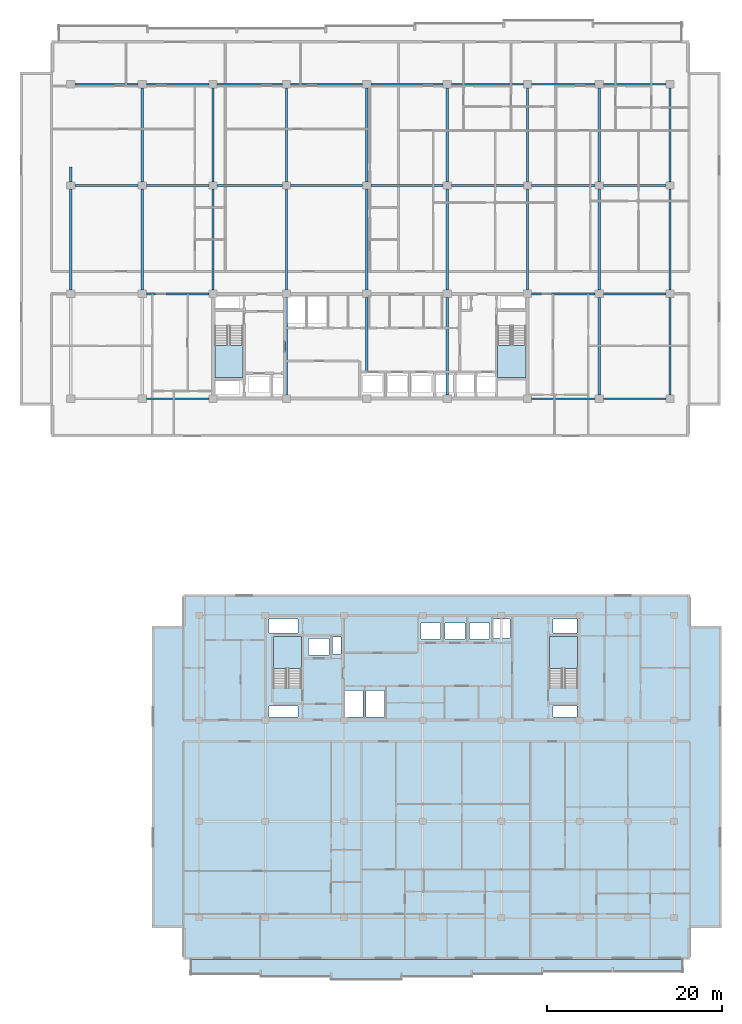
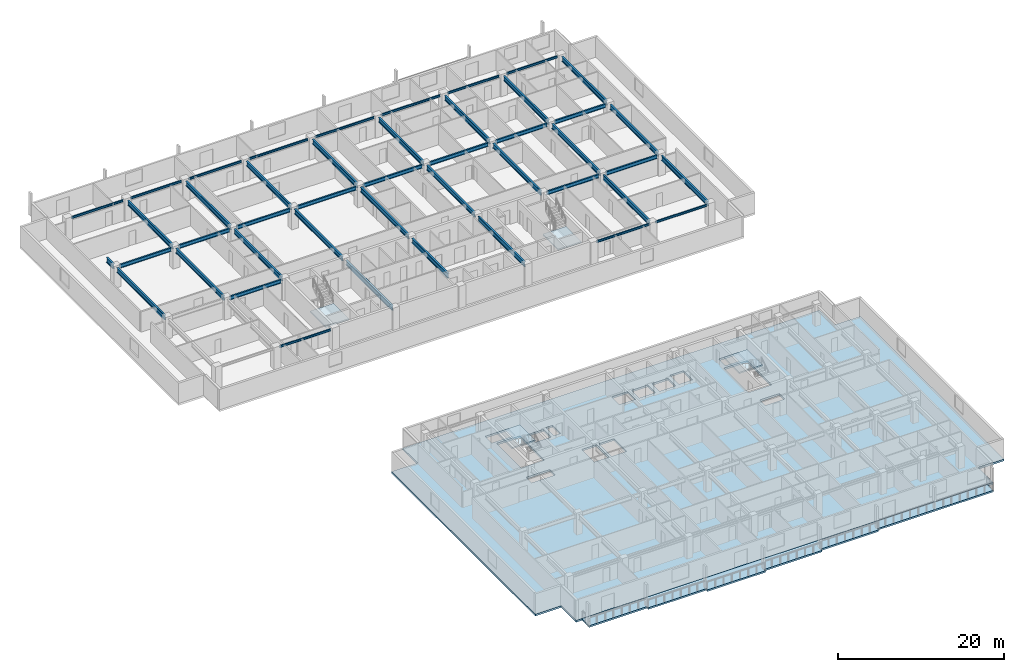
# One storey, part 2 of 21: 45 beams, 6 slabs, 4 elements without a shape of their own.
"""IFC4 building model written with IfcOpenShell, lengths in metres."""

import ifcopenshell
import ifcopenshell.guid

model = None  # the IFC model being written
_history = None  # IfcOwnerHistory: only IFC2X3 demands one
_inside = {}  # id of a spatial element -> (the spatial element, [elements in it])
_under = {}  # id of a project, library or spatial element -> (it, [spatial elements below it])
_declared = {}  # id of a project -> (the project, [libraries it declares])
_typed = {}  # id of a type object -> (the type object, [elements of that type])
_made_of = {}  # id of a material, layer set ... -> (it, [elements and type objects made of it])


def new_model(schema):
    """Start an empty IFC model of exactly this schema.

    Asked for "IFC4X3", IfcOpenShell would pick the latest addendum, in which some entities
    have other attributes; the version numbers below select the first issue.
    IFC2X3 requires an IfcOwnerHistory on every rooted entity: one is made here for all.
    """
    global model, _history
    if schema == "IFC4X3":
        model = ifcopenshell.file(schema_version=(4, 3, 0, 0))
    else:
        model = ifcopenshell.file(schema=schema)
    _inside.clear()
    _under.clear()
    _declared.clear()
    _typed.clear()
    _made_of.clear()
    _history = None
    if model.schema == "IFC2X3":
        org = make("IfcOrganization", Name="unknown")
        user = make(
            "IfcPersonAndOrganization",
            ThePerson=make("IfcPerson", FamilyName="unknown"),
            TheOrganization=org,
        )
        app = make(
            "IfcApplication",
            ApplicationDeveloper=org,
            Version="unknown",
            ApplicationFullName="unknown",
            ApplicationIdentifier="unknown",
        )
        _history = make(
            "IfcOwnerHistory",
            OwningUser=user,
            OwningApplication=app,
            ChangeAction="ADDED",
            CreationDate=0,
        )
    return model


def make(cls, **values):
    """One entity of the class cls with the attributes given. An attribute that is None is left unset."""
    return model.create_entity(
        cls, **{name: value for name, value in values.items() if value is not None}
    )


def rooted(cls, **values):
    """An entity with a GlobalId (a new one), such as an element, a storey or a relation."""
    return make(cls, GlobalId=ifcopenshell.guid.new(), OwnerHistory=_history, **values)


def si_unit(unit_type, name, prefix=None):
    """IfcSIUnit, for example si_unit("LENGTHUNIT", "METRE", prefix="MILLI")."""
    return make("IfcSIUnit", UnitType=unit_type, Prefix=prefix, Name=name)


def assignment(units):
    """IfcUnitAssignment: the units of a project."""
    return None if units is None else make("IfcUnitAssignment", Units=units)


def point(xyz):
    """IfcCartesianPoint."""
    return None if xyz is None else make("IfcCartesianPoint", Coordinates=xyz)


def direction(xyz):
    """IfcDirection."""
    return None if xyz is None else make("IfcDirection", DirectionRatios=xyz)


def frame(location, z_axis=None, x_axis=None):
    """IfcAxis2Placement3D, a coordinate frame: its origin and axes. An axis left out is left unset."""
    return make(
        "IfcAxis2Placement3D",
        Location=point(location),
        Axis=direction(z_axis),
        RefDirection=direction(x_axis),
    )


def frame_2d(location, x_axis=None):
    """IfcAxis2Placement2D, a coordinate frame in the plane: its origin and x axis."""
    return make(
        "IfcAxis2Placement2D", Location=point(location), RefDirection=direction(x_axis)
    )


def origin():
    """The frame at (0, 0, 0) with its axes left unset."""
    return frame((0.0, 0.0, 0.0))


def origin_2d():
    """The frame at (0, 0) in the plane with its x axis left unset."""
    return frame_2d((0.0, 0.0))


def place(relative_to, where):
    """IfcLocalPlacement: puts the frame where relative to a parent placement (None: the world)."""
    return make(
        "IfcLocalPlacement", PlacementRelTo=relative_to, RelativePlacement=where
    )


def context(
    kind, dimensions, precision=None, world=None, true_north=None, identifier=None
):
    """IfcGeometricRepresentationContext, for example the 3D "Model" context."""
    return make(
        "IfcGeometricRepresentationContext",
        ContextIdentifier=identifier,
        ContextType=kind,
        CoordinateSpaceDimension=dimensions,
        Precision=precision,
        WorldCoordinateSystem=world,
        TrueNorth=true_north,
    )


def subcontext(parent, identifier, kind, view, scale=None):
    """IfcGeometricRepresentationSubContext, for example "Body" below "Model"."""
    return make(
        "IfcGeometricRepresentationSubContext",
        ContextIdentifier=identifier,
        ContextType=kind,
        ParentContext=parent,
        TargetScale=scale,
        TargetView=view,
    )


def project(units=None, contexts=None):
    """IfcProject with its units and contexts."""
    return rooted(
        "IfcProject",
        Name="project",
        RepresentationContexts=contexts,
        UnitsInContext=assignment(units),
    )


def spatial(cls, under=None, at=None, **own):
    """A site, building, storey or space (cls), placed at a placement, below another one or the project."""
    s = rooted(cls, ObjectPlacement=at, **own)
    if under is not None:
        _under.setdefault(under.id(), (under, []))[1].append(s)
    return s


def polyline(points):
    """IfcPolyline through the points."""
    return make("IfcPolyline", Points=[point(p) for p in points])


def profile(cls, at=None, kind="AREA", **sizes):
    """A parametric profile (cls). Its sizes go by their IFC names, for example OverallWidth=200.0."""
    return make(cls, ProfileType=kind, Position=at, **sizes)


def i_section(**sizes):
    """IfcIShapeProfileDef."""
    return profile("IfcIShapeProfileDef", **sizes)


def outline(outer, holes=None, kind="AREA"):
    """IfcArbitraryClosedProfileDef: a profile drawn as a closed curve; with holes, ...WithVoids."""
    if holes is None:
        return make("IfcArbitraryClosedProfileDef", ProfileType=kind, OuterCurve=outer)
    return make(
        "IfcArbitraryProfileDefWithVoids",
        ProfileType=kind,
        OuterCurve=outer,
        InnerCurves=holes,
    )


def extrude(swept, where, along, depth):
    """IfcExtrudedAreaSolid: the profile swept, set in the frame where, extruded along a direction by depth."""
    return make(
        "IfcExtrudedAreaSolid",
        SweptArea=swept,
        Position=where,
        ExtrudedDirection=direction(along),
        Depth=depth,
    )


def shape(context_of_items, identifier, shape_type, items):
    """IfcShapeRepresentation: the items that make up one representation, for example the "Body"."""
    return make(
        "IfcShapeRepresentation",
        ContextOfItems=context_of_items,
        RepresentationIdentifier=identifier,
        RepresentationType=shape_type,
        Items=items,
    )


def material(Name=None, Category=None):
    """IfcMaterial."""
    return make("IfcMaterial", Name=Name, Category=Category)


def layer(
    of_material, thickness, ventilated=None, Name=None, Category=None, Priority=None
):
    """IfcMaterialLayer: one layer of a wall or slab, of a material (None: an air gap)."""
    return make(
        "IfcMaterialLayer",
        Material=of_material,
        LayerThickness=thickness,
        IsVentilated=ventilated,
        Name=Name,
        Category=Category,
        Priority=Priority,
    )


def layer_set(layers, Name=None):
    """IfcMaterialLayerSet."""
    return make("IfcMaterialLayerSet", MaterialLayers=layers, LayerSetName=Name)


def material_profile(
    of_material, cross_section, Name=None, Category=None, Priority=None
):
    """IfcMaterialProfile: a cross section and its material."""
    return make(
        "IfcMaterialProfile",
        Name=Name,
        Material=of_material,
        Profile=cross_section,
        Priority=Priority,
        Category=Category,
    )


def profile_set(profiles, Name=None, composite=None):
    """IfcMaterialProfileSet."""
    return make(
        "IfcMaterialProfileSet",
        Name=Name,
        MaterialProfiles=profiles,
        CompositeProfile=composite,
    )


def made_of(thing, what):
    """Note that an element or type object is made of a material, layer set ...; save() writes the relation."""
    if what is not None:
        _made_of.setdefault(what.id(), (what, []))[1].append(thing)
    return thing


def type_object(cls, material=None, **own):
    """A type object (cls), such as IfcWallType, which elements share."""
    return made_of(rooted(cls, **own), material)


def element(
    cls,
    number,
    at=None,
    inside=None,
    cuts=None,
    type_object=None,
    material=None,
    context=None,
    identifier="Body",
    shape_type=None,
    held_by="IfcProductDefinitionShape",
    body=None,
    shapes=None,
    **own,
):
    """One element of the class cls, such as IfcWall. Its Tag is "e" and its number.

    at: its placement. inside: the storey or other place that contains it. cuts: it is an
    opening in that element (IfcRelVoidsElement). A single representation is given by context,
    identifier, shape_type and body (its items); several are given by shapes. held_by: the class
    of the entity that holds the representations. save() writes the other relations.
    """
    e = rooted(cls, Tag="e%d" % number, ObjectPlacement=at, **own)
    if body is not None:
        shapes = [shape(context, identifier, shape_type, body)]
    if shapes is not None:
        e.Representation = make(held_by, Representations=shapes)
    if inside is not None:
        _inside.setdefault(inside.id(), (inside, []))[1].append(e)
    if cuts is not None:
        rooted(
            "IfcRelVoidsElement", RelatingBuildingElement=cuts, RelatedOpeningElement=e
        )
    if type_object is not None:
        _typed.setdefault(type_object.id(), (type_object, []))[1].append(e)
    return made_of(e, material)


def aggregate(whole, parts):
    """IfcRelAggregates: a whole, such as a stair, and the parts it consists of."""
    return rooted("IfcRelAggregates", RelatingObject=whole, RelatedObjects=parts)


def save(model, path):
    """Write the relations noted so far, then the file.

    IfcRelAggregates (storeys below a building ...), IfcRelContainedInSpatialStructure (elements
    in a storey), IfcRelDefinesByType, IfcRelAssociatesMaterial and IfcRelDeclares: one each for
    every whole, place, type object, material and project.
    """
    for whole, parts in _under.values():
        aggregate(whole, parts)
    for where, things in _inside.values():
        rooted(
            "IfcRelContainedInSpatialStructure",
            RelatedElements=things,
            RelatingStructure=where,
        )
    for kind, things in _typed.values():
        rooted("IfcRelDefinesByType", RelatedObjects=things, RelatingType=kind)
    for what, things in _made_of.values():
        rooted("IfcRelAssociatesMaterial", RelatedObjects=things, RelatingMaterial=what)
    for by, libraries in _declared.values():
        rooted("IfcRelDeclares", RelatingContext=by, RelatedDefinitions=libraries)
    model.write(path)


model = new_model("IFC4")

# Units and contexts
model_context = context("Model", 3, precision=1e-05, world=origin(), true_north=direction((0.0, 1.0)))
body_context = subcontext(model_context, "Body", "Model", "MODEL_VIEW")
ifc_project = project(units=[si_unit("LENGTHUNIT", "METRE"), si_unit("AREAUNIT", "SQUARE_METRE"), si_unit("VOLUMEUNIT", "CUBIC_METRE"), si_unit("PLANEANGLEUNIT", "RADIAN"), si_unit("MASSUNIT", "GRAM", prefix="KILO")], contexts=[model_context])

# Site, building, storey
site_placement = place(None, origin())
site = spatial("IfcSite", under=ifc_project, at=site_placement, CompositionType="ELEMENT")
building_placement = place(site_placement, origin())
building = spatial("IfcBuilding", under=site, at=building_placement, Name="Korimba Cascade Residences", CompositionType="ELEMENT")
storey_placement = place(building_placement, frame((0.0, 0.0, 119.800048828125)))
storey = spatial("IfcBuildingStorey", under=building, at=storey_placement, Name="L34", CompositionType="ELEMENT", Elevation=119.800048828125)

# Beams
ifc_material_1 = material(Name="Steel S355", Category="steel")
ifc_material_profile_1 = material_profile(ifc_material_1, i_section(OverallWidth=0.165771484375, OverallDepth=0.306640625, WebThickness=0.006591796875, FlangeThickness=0.01171875, FilletRadius=0.0087890625, at=origin_2d()), Name="Steel S355")
ifc_profile_set_1 = profile_set([ifc_material_profile_1], Name="Steel S355")
beam_type_1 = type_object("IfcBeamType", Name="BM-STL-UB305", PredefinedType="SPANDREL", material=ifc_profile_set_1)
beam_1_placement = place(storey_placement, frame((68.47509765625, 55.199951171875, 2.816650390625), z_axis=(1.0, 0.0, 0.0), x_axis=(0.0, 1.0, 0.0)))
element("IfcBeam", 1, at=beam_1_placement, inside=storey, type_object=beam_type_1, Name="L34 T1 E-W Girder Y1 Bay 2", PredefinedType="SPANDREL", context=body_context, shape_type="SweptSolid", body=[
    extrude(i_section(OverallWidth=0.165771484375, OverallDepth=0.306640625, WebThickness=0.006591796875, FlangeThickness=0.01171875, FilletRadius=0.0087890625, at=origin_2d()), origin(), (0.0, 0.0, 1.0), 7.14990234375),
])
beam_2_placement = place(storey_placement, frame((112.574951171875, 55.199951171875, 2.816650390625), z_axis=(1.0, 0.0, 0.0), x_axis=(0.0, 1.0, 0.0)))
element("IfcBeam", 2, at=beam_2_placement, inside=storey, type_object=beam_type_1, Name="L34 T1 E-W Girder Y1 Bay 7", PredefinedType="SPANDREL", context=body_context, shape_type="SweptSolid", body=[
    extrude(i_section(OverallWidth=0.165771484375, OverallDepth=0.306640625, WebThickness=0.006591796875, FlangeThickness=0.01171875, FilletRadius=0.0087890625, at=origin_2d()), origin(), (0.0, 0.0, 1.0), 7.25),
])
beam_3_placement = place(storey_placement, frame((120.77490234375, 55.199951171875, 2.816650390625), z_axis=(1.0, 0.0, 0.0), x_axis=(0.0, 1.0, 0.0)))
element("IfcBeam", 3, at=beam_3_placement, inside=storey, type_object=beam_type_1, Name="L34 T1 E-W Girder Y1 Bay 8", PredefinedType="SPANDREL", context=body_context, shape_type="SweptSolid", body=[
    extrude(i_section(OverallWidth=0.165771484375, OverallDepth=0.306640625, WebThickness=0.006591796875, FlangeThickness=0.01171875, FilletRadius=0.0087890625, at=origin_2d()), origin(), (0.0, 0.0, 1.0), 7.150146484375),
])
beam_4_placement = place(storey_placement, frame((60.27490234375, 91.199951171875, 2.816650390625), z_axis=(1.0, 0.0, 0.0), x_axis=(0.0, 1.0, 0.0)))
element("IfcBeam", 4, at=beam_4_placement, inside=storey, type_object=beam_type_1, Name="L34 T1 E-W Girder Y4 Bay 1", PredefinedType="SPANDREL", context=body_context, shape_type="SweptSolid", body=[
    extrude(i_section(OverallWidth=0.165771484375, OverallDepth=0.306640625, WebThickness=0.006591796875, FlangeThickness=0.01171875, FilletRadius=0.0087890625, at=origin_2d()), origin(), (0.0, 0.0, 1.0), 7.25),
])
beam_5_placement = place(storey_placement, frame((68.47509765625, 91.199951171875, 2.816650390625), z_axis=(1.0, 0.0, 0.0), x_axis=(0.0, 1.0, 0.0)))
element("IfcBeam", 5, at=beam_5_placement, inside=storey, type_object=beam_type_1, Name="L34 T1 E-W Girder Y4 Bay 2", PredefinedType="SPANDREL", context=body_context, shape_type="SweptSolid", body=[
    extrude(i_section(OverallWidth=0.165771484375, OverallDepth=0.306640625, WebThickness=0.006591796875, FlangeThickness=0.01171875, FilletRadius=0.0087890625, at=origin_2d()), origin(), (0.0, 0.0, 1.0), 7.14990234375),
])
beam_6_placement = place(storey_placement, frame((76.574951171875, 91.199951171875, 2.816650390625), z_axis=(1.0, 0.0, 0.0), x_axis=(0.0, 1.0, 0.0)))
element("IfcBeam", 6, at=beam_6_placement, inside=storey, type_object=beam_type_1, Name="L34 T1 E-W Girder Y4 Bay 3", PredefinedType="SPANDREL", context=body_context, shape_type="SweptSolid", body=[
    extrude(i_section(OverallWidth=0.165771484375, OverallDepth=0.306640625, WebThickness=0.006591796875, FlangeThickness=0.01171875, FilletRadius=0.0087890625, at=origin_2d()), origin(), (0.0, 0.0, 1.0), 7.449951171875),
])
for number, where, z_axis, x_axis, name in (
    (7, (84.97509765625, 91.199951171875, 2.816650390625), (1.0, 0.0, 0.0), (0.0, 1.0, 0.0), "L34 T1 E-W Girder Y4 Bay 4"),
    (8, (94.175048828125, 91.199951171875, 2.816650390625), (1.0, 0.0, 0.0), (0.0, 1.0, 0.0), "L34 T1 E-W Girder Y4 Bay 5"),
    (9, (103.375, 91.199951171875, 2.816650390625), (1.0, 0.0, 0.0), (0.0, 1.0, 0.0), "L34 T1 E-W Girder Y4 Bay 6"),
):
    element("IfcBeam", number, at=place(storey_placement, frame(where, z_axis=z_axis, x_axis=x_axis)), inside=storey, type_object=beam_type_1, Name=name, PredefinedType="SPANDREL", context=body_context, shape_type="SweptSolid", body=[
        extrude(i_section(OverallWidth=0.165771484375, OverallDepth=0.306640625, WebThickness=0.006591796875, FlangeThickness=0.01171875, FilletRadius=0.0087890625, at=origin_2d()), origin(), (0.0, 0.0, 1.0), 8.25),
    ])
beam_7_placement = place(storey_placement, frame((112.574951171875, 91.199951171875, 2.816650390625), z_axis=(1.0, 0.0, 0.0), x_axis=(0.0, 1.0, 0.0)))
element("IfcBeam", 10, at=beam_7_placement, inside=storey, type_object=beam_type_1, Name="L34 T1 E-W Girder Y4 Bay 7", PredefinedType="SPANDREL", context=body_context, shape_type="SweptSolid", body=[
    extrude(i_section(OverallWidth=0.165771484375, OverallDepth=0.306640625, WebThickness=0.006591796875, FlangeThickness=0.01171875, FilletRadius=0.0087890625, at=origin_2d()), origin(), (0.0, 0.0, 1.0), 7.25),
])
beam_8_placement = place(storey_placement, frame((120.77490234375, 91.199951171875, 2.816650390625), z_axis=(1.0, 0.0, 0.0), x_axis=(0.0, 1.0, 0.0)))
element("IfcBeam", 11, at=beam_8_placement, inside=storey, type_object=beam_type_1, Name="L34 T1 E-W Girder Y4 Bay 8", PredefinedType="SPANDREL", context=body_context, shape_type="SweptSolid", body=[
    extrude(i_section(OverallWidth=0.165771484375, OverallDepth=0.306640625, WebThickness=0.006591796875, FlangeThickness=0.01171875, FilletRadius=0.0087890625, at=origin_2d()), origin(), (0.0, 0.0, 1.0), 7.150146484375),
])
ifc_material_profile_2 = material_profile(ifc_material_1, i_section(OverallWidth=0.2099609375, OverallDepth=0.53662109375, WebThickness=0.0107421875, FlangeThickness=0.017333984375, FilletRadius=0.0126953125, at=origin_2d()), Name="Steel S355")
ifc_profile_set_2 = profile_set([ifc_material_profile_2], Name="Steel S355")
beam_type_2 = type_object("IfcBeamType", Name="BM-STL-UB533", PredefinedType="BEAM", material=ifc_profile_set_2)
beam_9_placement = place(storey_placement, frame((68.47509765625, 67.199951171875, 2.70166015625), z_axis=(1.0, 0.0, 0.0), x_axis=(0.0, 1.0, 0.0)))
element("IfcBeam", 12, at=beam_9_placement, inside=storey, type_object=beam_type_2, Name="L34 T1 E-W Girder Y2 Bay 2", PredefinedType="BEAM", context=body_context, shape_type="SweptSolid", body=[
    extrude(i_section(OverallWidth=0.2099609375, OverallDepth=0.53662109375, WebThickness=0.0107421875, FlangeThickness=0.017333984375, FilletRadius=0.0126953125, at=origin_2d()), origin(), (0.0, 0.0, 1.0), 7.14990234375),
])
beam_10_placement = place(storey_placement, frame((112.574951171875, 67.199951171875, 2.70166015625), z_axis=(1.0, 0.0, 0.0), x_axis=(0.0, 1.0, 0.0)))
element("IfcBeam", 13, at=beam_10_placement, inside=storey, type_object=beam_type_2, Name="L34 T1 E-W Girder Y2 Bay 7", PredefinedType="BEAM", context=body_context, shape_type="SweptSolid", body=[
    extrude(i_section(OverallWidth=0.2099609375, OverallDepth=0.53662109375, WebThickness=0.0107421875, FlangeThickness=0.017333984375, FilletRadius=0.0126953125, at=origin_2d()), origin(), (0.0, 0.0, 1.0), 7.25),
])
beam_11_placement = place(storey_placement, frame((120.77490234375, 67.199951171875, 2.70166015625), z_axis=(1.0, 0.0, 0.0), x_axis=(0.0, 1.0, 0.0)))
element("IfcBeam", 14, at=beam_11_placement, inside=storey, type_object=beam_type_2, Name="L34 T1 E-W Girder Y2 Bay 8", PredefinedType="BEAM", context=body_context, shape_type="SweptSolid", body=[
    extrude(i_section(OverallWidth=0.2099609375, OverallDepth=0.53662109375, WebThickness=0.0107421875, FlangeThickness=0.017333984375, FilletRadius=0.0126953125, at=origin_2d()), origin(), (0.0, 0.0, 1.0), 7.150146484375),
])
beam_12_placement = place(storey_placement, frame((60.27490234375, 79.60009765625, 2.70166015625), z_axis=(1.0, 0.0, 0.0), x_axis=(0.0, 1.0, 0.0)))
element("IfcBeam", 15, at=beam_12_placement, inside=storey, type_object=beam_type_2, Name="L34 T1 E-W Girder Y3 Bay 1", PredefinedType="BEAM", context=body_context, shape_type="SweptSolid", body=[
    extrude(i_section(OverallWidth=0.2099609375, OverallDepth=0.53662109375, WebThickness=0.0107421875, FlangeThickness=0.017333984375, FilletRadius=0.0126953125, at=origin_2d()), origin(), (0.0, 0.0, 1.0), 7.25),
])
beam_13_placement = place(storey_placement, frame((68.47509765625, 79.60009765625, 2.70166015625), z_axis=(1.0, 0.0, 0.0), x_axis=(0.0, 1.0, 0.0)))
element("IfcBeam", 16, at=beam_13_placement, inside=storey, type_object=beam_type_2, Name="L34 T1 E-W Girder Y3 Bay 2", PredefinedType="BEAM", context=body_context, shape_type="SweptSolid", body=[
    extrude(i_section(OverallWidth=0.2099609375, OverallDepth=0.53662109375, WebThickness=0.0107421875, FlangeThickness=0.017333984375, FilletRadius=0.0126953125, at=origin_2d()), origin(), (0.0, 0.0, 1.0), 7.14990234375),
])
beam_14_placement = place(storey_placement, frame((76.574951171875, 79.60009765625, 2.70166015625), z_axis=(1.0, 0.0, 0.0), x_axis=(0.0, 1.0, 0.0)))
element("IfcBeam", 17, at=beam_14_placement, inside=storey, type_object=beam_type_2, Name="L34 T1 E-W Girder Y3 Bay 3", PredefinedType="BEAM", context=body_context, shape_type="SweptSolid", body=[
    extrude(i_section(OverallWidth=0.2099609375, OverallDepth=0.53662109375, WebThickness=0.0107421875, FlangeThickness=0.017333984375, FilletRadius=0.0126953125, at=origin_2d()), origin(), (0.0, 0.0, 1.0), 7.449951171875),
])
for number, where, z_axis, x_axis, name in (
    (18, (84.97509765625, 79.60009765625, 2.70166015625), (1.0, 0.0, 0.0), (0.0, 1.0, 0.0), "L34 T1 E-W Girder Y3 Bay 4"),
    (19, (94.175048828125, 79.60009765625, 2.70166015625), (1.0, 0.0, 0.0), (0.0, 1.0, 0.0), "L34 T1 E-W Girder Y3 Bay 5"),
    (20, (103.375, 79.60009765625, 2.70166015625), (1.0, 0.0, 0.0), (0.0, 1.0, 0.0), "L34 T1 E-W Girder Y3 Bay 6"),
):
    element("IfcBeam", number, at=place(storey_placement, frame(where, z_axis=z_axis, x_axis=x_axis)), inside=storey, type_object=beam_type_2, Name=name, PredefinedType="BEAM", context=body_context, shape_type="SweptSolid", body=[
        extrude(i_section(OverallWidth=0.2099609375, OverallDepth=0.53662109375, WebThickness=0.0107421875, FlangeThickness=0.017333984375, FilletRadius=0.0126953125, at=origin_2d()), origin(), (0.0, 0.0, 1.0), 8.25),
    ])
beam_15_placement = place(storey_placement, frame((112.574951171875, 79.60009765625, 2.70166015625), z_axis=(1.0, 0.0, 0.0), x_axis=(0.0, 1.0, 0.0)))
element("IfcBeam", 21, at=beam_15_placement, inside=storey, type_object=beam_type_2, Name="L34 T1 E-W Girder Y3 Bay 7", PredefinedType="BEAM", context=body_context, shape_type="SweptSolid", body=[
    extrude(i_section(OverallWidth=0.2099609375, OverallDepth=0.53662109375, WebThickness=0.0107421875, FlangeThickness=0.017333984375, FilletRadius=0.0126953125, at=origin_2d()), origin(), (0.0, 0.0, 1.0), 7.25),
])
beam_16_placement = place(storey_placement, frame((120.77490234375, 79.60009765625, 2.70166015625), z_axis=(1.0, 0.0, 0.0), x_axis=(0.0, 1.0, 0.0)))
element("IfcBeam", 22, at=beam_16_placement, inside=storey, type_object=beam_type_2, Name="L34 T1 E-W Girder Y3 Bay 8", PredefinedType="BEAM", context=body_context, shape_type="SweptSolid", body=[
    extrude(i_section(OverallWidth=0.2099609375, OverallDepth=0.53662109375, WebThickness=0.0107421875, FlangeThickness=0.017333984375, FilletRadius=0.0126953125, at=origin_2d()), origin(), (0.0, 0.0, 1.0), 7.150146484375),
])
ifc_material_profile_3 = material_profile(ifc_material_1, i_section(OverallWidth=0.255859375, OverallDepth=0.69287109375, WebThickness=0.014404296875, FlangeThickness=0.023681640625, FilletRadius=0.01513671875, at=origin_2d()), Name="Steel S355")
ifc_profile_set_3 = profile_set([ifc_material_profile_3], Name="Steel S355")
beam_type_3 = type_object("IfcBeamType", Name="BM-STL-UB686", PredefinedType="BEAM", material=ifc_profile_set_3)
beam_17_placement = place(storey_placement, frame((59.800048828125, 67.625, 2.62353515625), z_axis=(0.0, 1.0, 0.0), x_axis=(-1.0, 0.0, 0.0)))
element("IfcBeam", 23, at=beam_17_placement, inside=storey, type_object=beam_type_3, Name="L34 T1 N-S Girder X1 Seg 2", PredefinedType="BEAM", context=body_context, shape_type="SweptSolid", body=[
    extrude(i_section(OverallWidth=0.255859375, OverallDepth=0.69287109375, WebThickness=0.014404296875, FlangeThickness=0.023681640625, FilletRadius=0.01513671875, at=origin_2d()), origin(), (0.0, 0.0, 1.0), 11.550048828125),
])
beam_18_placement = place(storey_placement, frame((59.800048828125, 80.02490234375, 2.62353515625), z_axis=(0.0, 1.0, 0.0), x_axis=(-1.0, 0.0, 0.0)))
element("IfcBeam", 24, at=beam_18_placement, inside=storey, type_object=beam_type_3, Name="L34 T1 N-S Girder X1 Seg 3", PredefinedType="BEAM", context=body_context, shape_type="SweptSolid", body=[
    extrude(i_section(OverallWidth=0.255859375, OverallDepth=0.69287109375, WebThickness=0.014404296875, FlangeThickness=0.023681640625, FilletRadius=0.01513671875, at=origin_2d()), origin(), (0.0, 0.0, 1.0), 1.675048828125),
])
beam_19_placement = place(storey_placement, frame((68.0, 67.625, 2.62353515625), z_axis=(0.0, 1.0, 0.0), x_axis=(-1.0, 0.0, 0.0)))
element("IfcBeam", 25, at=beam_19_placement, inside=storey, type_object=beam_type_3, Name="L34 T1 N-S Girder X2 Seg 2", PredefinedType="BEAM", context=body_context, shape_type="SweptSolid", body=[
    extrude(i_section(OverallWidth=0.255859375, OverallDepth=0.69287109375, WebThickness=0.014404296875, FlangeThickness=0.023681640625, FilletRadius=0.01513671875, at=origin_2d()), origin(), (0.0, 0.0, 1.0), 11.550048828125),
])
beam_20_placement = place(storey_placement, frame((68.0, 80.02490234375, 2.62353515625), z_axis=(0.0, 1.0, 0.0), x_axis=(-1.0, 0.0, 0.0)))
element("IfcBeam", 26, at=beam_20_placement, inside=storey, type_object=beam_type_3, Name="L34 T1 N-S Girder X2 Seg 3", PredefinedType="BEAM", context=body_context, shape_type="SweptSolid", body=[
    extrude(i_section(OverallWidth=0.255859375, OverallDepth=0.69287109375, WebThickness=0.014404296875, FlangeThickness=0.023681640625, FilletRadius=0.01513671875, at=origin_2d()), origin(), (0.0, 0.0, 1.0), 10.75),
])
beam_21_placement = place(storey_placement, frame((76.10009765625, 67.625, 2.62353515625), z_axis=(0.0, 1.0, 0.0), x_axis=(-1.0, 0.0, 0.0)))
element("IfcBeam", 27, at=beam_21_placement, inside=storey, type_object=beam_type_3, Name="L34 T1 N-S Girder X3 Seg 2", PredefinedType="BEAM", context=body_context, shape_type="SweptSolid", body=[
    extrude(i_section(OverallWidth=0.255859375, OverallDepth=0.69287109375, WebThickness=0.014404296875, FlangeThickness=0.023681640625, FilletRadius=0.01513671875, at=origin_2d()), origin(), (0.0, 0.0, 1.0), 11.550048828125),
])
beam_22_placement = place(storey_placement, frame((76.10009765625, 80.02490234375, 2.62353515625), z_axis=(0.0, 1.0, 0.0), x_axis=(-1.0, 0.0, 0.0)))
element("IfcBeam", 28, at=beam_22_placement, inside=storey, type_object=beam_type_3, Name="L34 T1 N-S Girder X3 Seg 3", PredefinedType="BEAM", context=body_context, shape_type="SweptSolid", body=[
    extrude(i_section(OverallWidth=0.255859375, OverallDepth=0.69287109375, WebThickness=0.014404296875, FlangeThickness=0.023681640625, FilletRadius=0.01513671875, at=origin_2d()), origin(), (0.0, 0.0, 1.0), 10.75),
])
beam_23_placement = place(storey_placement, frame((84.5, 55.625, 2.62353515625), z_axis=(0.0, 1.0, 0.0), x_axis=(-1.0, 0.0, 0.0)))
element("IfcBeam", 29, at=beam_23_placement, inside=storey, type_object=beam_type_3, Name="L34 T1 N-S Girder X4 Seg 1", PredefinedType="BEAM", context=body_context, shape_type="SweptSolid", body=[
    extrude(i_section(OverallWidth=0.255859375, OverallDepth=0.69287109375, WebThickness=0.014404296875, FlangeThickness=0.023681640625, FilletRadius=0.01513671875, at=origin_2d()), origin(), (0.0, 0.0, 1.0), 11.14990234375),
])
beam_24_placement = place(storey_placement, frame((84.5, 67.625, 2.62353515625), z_axis=(0.0, 1.0, 0.0), x_axis=(-1.0, 0.0, 0.0)))
element("IfcBeam", 30, at=beam_24_placement, inside=storey, type_object=beam_type_3, Name="L34 T1 N-S Girder X4 Seg 2", PredefinedType="BEAM", context=body_context, shape_type="SweptSolid", body=[
    extrude(i_section(OverallWidth=0.255859375, OverallDepth=0.69287109375, WebThickness=0.014404296875, FlangeThickness=0.023681640625, FilletRadius=0.01513671875, at=origin_2d()), origin(), (0.0, 0.0, 1.0), 11.550048828125),
])
beam_25_placement = place(storey_placement, frame((84.5, 80.02490234375, 2.62353515625), z_axis=(0.0, 1.0, 0.0), x_axis=(-1.0, 0.0, 0.0)))
element("IfcBeam", 31, at=beam_25_placement, inside=storey, type_object=beam_type_3, Name="L34 T1 N-S Girder X4 Seg 3", PredefinedType="BEAM", context=body_context, shape_type="SweptSolid", body=[
    extrude(i_section(OverallWidth=0.255859375, OverallDepth=0.69287109375, WebThickness=0.014404296875, FlangeThickness=0.023681640625, FilletRadius=0.01513671875, at=origin_2d()), origin(), (0.0, 0.0, 1.0), 10.75),
])
beam_26_placement = place(storey_placement, frame((93.699951171875, 58.159912109375, 2.62353515625), z_axis=(0.0, 1.0, 0.0), x_axis=(-1.0, 0.0, 0.0)))
element("IfcBeam", 32, at=beam_26_placement, inside=storey, type_object=beam_type_3, Name="L34 T1 N-S Girder X5 Seg 1", PredefinedType="BEAM", context=body_context, shape_type="SweptSolid", body=[
    extrude(i_section(OverallWidth=0.255859375, OverallDepth=0.69287109375, WebThickness=0.014404296875, FlangeThickness=0.023681640625, FilletRadius=0.01513671875, at=origin_2d()), origin(), (0.0, 0.0, 1.0), 8.614990234375),
])
beam_27_placement = place(storey_placement, frame((93.699951171875, 67.625, 2.62353515625), z_axis=(0.0, 1.0, 0.0), x_axis=(-1.0, 0.0, 0.0)))
element("IfcBeam", 33, at=beam_27_placement, inside=storey, type_object=beam_type_3, Name="L34 T1 N-S Girder X5 Seg 2", PredefinedType="BEAM", context=body_context, shape_type="SweptSolid", body=[
    extrude(i_section(OverallWidth=0.255859375, OverallDepth=0.69287109375, WebThickness=0.014404296875, FlangeThickness=0.023681640625, FilletRadius=0.01513671875, at=origin_2d()), origin(), (0.0, 0.0, 1.0), 11.550048828125),
])
beam_28_placement = place(storey_placement, frame((93.699951171875, 80.02490234375, 2.62353515625), z_axis=(0.0, 1.0, 0.0), x_axis=(-1.0, 0.0, 0.0)))
element("IfcBeam", 34, at=beam_28_placement, inside=storey, type_object=beam_type_3, Name="L34 T1 N-S Girder X5 Seg 3", PredefinedType="BEAM", context=body_context, shape_type="SweptSolid", body=[
    extrude(i_section(OverallWidth=0.255859375, OverallDepth=0.69287109375, WebThickness=0.014404296875, FlangeThickness=0.023681640625, FilletRadius=0.01513671875, at=origin_2d()), origin(), (0.0, 0.0, 1.0), 10.75),
])
beam_29_placement = place(storey_placement, frame((102.89990234375, 55.625, 2.62353515625), z_axis=(0.0, 1.0, 0.0), x_axis=(-1.0, 0.0, 0.0)))
element("IfcBeam", 35, at=beam_29_placement, inside=storey, type_object=beam_type_3, Name="L34 T1 N-S Girder X6 Seg 1", PredefinedType="BEAM", context=body_context, shape_type="SweptSolid", body=[
    extrude(i_section(OverallWidth=0.255859375, OverallDepth=0.69287109375, WebThickness=0.014404296875, FlangeThickness=0.023681640625, FilletRadius=0.01513671875, at=origin_2d()), origin(), (0.0, 0.0, 1.0), 11.14990234375),
])
beam_30_placement = place(storey_placement, frame((102.89990234375, 67.625, 2.62353515625), z_axis=(0.0, 1.0, 0.0), x_axis=(-1.0, 0.0, 0.0)))
element("IfcBeam", 36, at=beam_30_placement, inside=storey, type_object=beam_type_3, Name="L34 T1 N-S Girder X6 Seg 2", PredefinedType="BEAM", context=body_context, shape_type="SweptSolid", body=[
    extrude(i_section(OverallWidth=0.255859375, OverallDepth=0.69287109375, WebThickness=0.014404296875, FlangeThickness=0.023681640625, FilletRadius=0.01513671875, at=origin_2d()), origin(), (0.0, 0.0, 1.0), 11.550048828125),
])
beam_31_placement = place(storey_placement, frame((102.89990234375, 80.02490234375, 2.62353515625), z_axis=(0.0, 1.0, 0.0), x_axis=(-1.0, 0.0, 0.0)))
element("IfcBeam", 37, at=beam_31_placement, inside=storey, type_object=beam_type_3, Name="L34 T1 N-S Girder X6 Seg 3", PredefinedType="BEAM", context=body_context, shape_type="SweptSolid", body=[
    extrude(i_section(OverallWidth=0.255859375, OverallDepth=0.69287109375, WebThickness=0.014404296875, FlangeThickness=0.023681640625, FilletRadius=0.01513671875, at=origin_2d()), origin(), (0.0, 0.0, 1.0), 10.75),
])
beam_32_placement = place(storey_placement, frame((112.10009765625, 67.625, 2.62353515625), z_axis=(0.0, 1.0, 0.0), x_axis=(-1.0, 0.0, 0.0)))
element("IfcBeam", 38, at=beam_32_placement, inside=storey, type_object=beam_type_3, Name="L34 T1 N-S Girder X7 Seg 2", PredefinedType="BEAM", context=body_context, shape_type="SweptSolid", body=[
    extrude(i_section(OverallWidth=0.255859375, OverallDepth=0.69287109375, WebThickness=0.014404296875, FlangeThickness=0.023681640625, FilletRadius=0.01513671875, at=origin_2d()), origin(), (0.0, 0.0, 1.0), 11.550048828125),
])
beam_33_placement = place(storey_placement, frame((112.10009765625, 80.02490234375, 2.62353515625), z_axis=(0.0, 1.0, 0.0), x_axis=(-1.0, 0.0, 0.0)))
element("IfcBeam", 39, at=beam_33_placement, inside=storey, type_object=beam_type_3, Name="L34 T1 N-S Girder X7 Seg 3", PredefinedType="BEAM", context=body_context, shape_type="SweptSolid", body=[
    extrude(i_section(OverallWidth=0.255859375, OverallDepth=0.69287109375, WebThickness=0.014404296875, FlangeThickness=0.023681640625, FilletRadius=0.01513671875, at=origin_2d()), origin(), (0.0, 0.0, 1.0), 10.75),
])
beam_34_placement = place(storey_placement, frame((120.300048828125, 55.625, 2.62353515625), z_axis=(0.0, 1.0, 0.0), x_axis=(-1.0, 0.0, 0.0)))
element("IfcBeam", 40, at=beam_34_placement, inside=storey, type_object=beam_type_3, Name="L34 T1 N-S Girder X8 Seg 1", PredefinedType="BEAM", context=body_context, shape_type="SweptSolid", body=[
    extrude(i_section(OverallWidth=0.255859375, OverallDepth=0.69287109375, WebThickness=0.014404296875, FlangeThickness=0.023681640625, FilletRadius=0.01513671875, at=origin_2d()), origin(), (0.0, 0.0, 1.0), 11.14990234375),
])
beam_35_placement = place(storey_placement, frame((120.300048828125, 67.625, 2.62353515625), z_axis=(0.0, 1.0, 0.0), x_axis=(-1.0, 0.0, 0.0)))
element("IfcBeam", 41, at=beam_35_placement, inside=storey, type_object=beam_type_3, Name="L34 T1 N-S Girder X8 Seg 2", PredefinedType="BEAM", context=body_context, shape_type="SweptSolid", body=[
    extrude(i_section(OverallWidth=0.255859375, OverallDepth=0.69287109375, WebThickness=0.014404296875, FlangeThickness=0.023681640625, FilletRadius=0.01513671875, at=origin_2d()), origin(), (0.0, 0.0, 1.0), 11.550048828125),
])
beam_36_placement = place(storey_placement, frame((120.300048828125, 80.02490234375, 2.62353515625), z_axis=(0.0, 1.0, 0.0), x_axis=(-1.0, 0.0, 0.0)))
element("IfcBeam", 42, at=beam_36_placement, inside=storey, type_object=beam_type_3, Name="L34 T1 N-S Girder X8 Seg 3", PredefinedType="BEAM", context=body_context, shape_type="SweptSolid", body=[
    extrude(i_section(OverallWidth=0.255859375, OverallDepth=0.69287109375, WebThickness=0.014404296875, FlangeThickness=0.023681640625, FilletRadius=0.01513671875, at=origin_2d()), origin(), (0.0, 0.0, 1.0), 10.75),
])
beam_37_placement = place(storey_placement, frame((128.39990234375, 55.625, 2.62353515625), z_axis=(0.0, 1.0, 0.0), x_axis=(-1.0, 0.0, 0.0)))
element("IfcBeam", 43, at=beam_37_placement, inside=storey, type_object=beam_type_3, Name="L34 T1 N-S Girder X9 Seg 1", PredefinedType="BEAM", context=body_context, shape_type="SweptSolid", body=[
    extrude(i_section(OverallWidth=0.255859375, OverallDepth=0.69287109375, WebThickness=0.014404296875, FlangeThickness=0.023681640625, FilletRadius=0.01513671875, at=origin_2d()), origin(), (0.0, 0.0, 1.0), 11.14990234375),
])
beam_38_placement = place(storey_placement, frame((128.39990234375, 67.625, 2.62353515625), z_axis=(0.0, 1.0, 0.0), x_axis=(-1.0, 0.0, 0.0)))
element("IfcBeam", 44, at=beam_38_placement, inside=storey, type_object=beam_type_3, Name="L34 T1 N-S Girder X9 Seg 2", PredefinedType="BEAM", context=body_context, shape_type="SweptSolid", body=[
    extrude(i_section(OverallWidth=0.255859375, OverallDepth=0.69287109375, WebThickness=0.014404296875, FlangeThickness=0.023681640625, FilletRadius=0.01513671875, at=origin_2d()), origin(), (0.0, 0.0, 1.0), 11.550048828125),
])
beam_39_placement = place(storey_placement, frame((128.39990234375, 80.02490234375, 2.62353515625), z_axis=(0.0, 1.0, 0.0), x_axis=(-1.0, 0.0, 0.0)))
element("IfcBeam", 45, at=beam_39_placement, inside=storey, type_object=beam_type_3, Name="L34 T1 N-S Girder X9 Seg 3", PredefinedType="BEAM", context=body_context, shape_type="SweptSolid", body=[
    extrude(i_section(OverallWidth=0.255859375, OverallDepth=0.69287109375, WebThickness=0.014404296875, FlangeThickness=0.023681640625, FilletRadius=0.01513671875, at=origin_2d()), origin(), (0.0, 0.0, 1.0), 10.75),
])

# Stair, slab
ifc_material_2 = material(Name="Concrete C50/60", Category="concrete")
stair_type_1 = type_object("IfcStairType", Name="STR-W1-18R-1806", PredefinedType="HALF_TURN_STAIR", material=ifc_material_2)
stair_1_placement = place(storey_placement, origin())
stair_1 = element("IfcStair", 46, at=stair_1_placement, inside=storey, type_object=stair_type_1, Name="L34 Tower 1 West Fire Stair ST-W1", PredefinedType="HALF_TURN_STAIR")
ifc_layer_1 = layer(ifc_material_2, 0.199951171875)
ifc_layer_set_1 = layer_set([ifc_layer_1], Name="Concrete C50/60")
slab_type_1 = type_object("IfcSlabType", Name="SLB-LND-220", PredefinedType="LANDING", material=ifc_layer_set_1)
slab_1_placement = place(storey_placement, frame((0.0, 0.0, 1.425048828125)))
slab_1 = element("IfcSlab", 47, at=slab_1_placement, type_object=slab_type_1, Name="ST-W1 landing 1", PredefinedType="LANDING", context=body_context, shape_type="SweptSolid", body=[
    extrude(outline(polyline([(76.300048828125, 61.31005859375), (76.300048828125, 57.60009765625), (79.5400390625, 57.60009765625), (79.5400390625, 61.31005859375), (76.300048828125, 61.31005859375)])), origin(), (0.0, 0.0, 1.0), 0.199951171875),
])
aggregate(stair_1, [slab_1])

stair_type_2 = type_object("IfcStairType", Name="STR-W2-18R-1806", PredefinedType="HALF_TURN_STAIR", material=ifc_material_2)
stair_2_placement = place(storey_placement, origin())
stair_2 = element("IfcStair", 48, at=stair_2_placement, inside=storey, type_object=stair_type_2, Name="L34 Tower 1 East Fire Stair ST-W2", PredefinedType="HALF_TURN_STAIR")
slab_2_placement = place(storey_placement, frame((0.0, 0.0, 1.425048828125)))
slab_2 = element("IfcSlab", 49, at=slab_2_placement, type_object=slab_type_1, Name="ST-W2 landing 1", PredefinedType="LANDING", context=body_context, shape_type="SweptSolid", body=[
    extrude(outline(polyline([(108.659912109375, 61.31005859375), (108.659912109375, 57.60009765625), (111.89990234375, 57.60009765625), (111.89990234375, 61.31005859375), (108.659912109375, 61.31005859375)])), origin(), (0.0, 0.0, 1.0), 0.199951171875),
])
aggregate(stair_2, [slab_2])

stair_type_3 = type_object("IfcStairType", Name="STR-E1-18R-1806", PredefinedType="HALF_TURN_STAIR", material=ifc_material_2)
stair_3_placement = place(storey_placement, origin())
stair_3 = element("IfcStair", 50, at=stair_3_placement, inside=storey, type_object=stair_type_3, Name="L34 Tower 2 West Fire Stair ST-E1", PredefinedType="HALF_TURN_STAIR")
slab_3_placement = place(storey_placement, frame((0.0, 0.0, 1.425048828125)))
slab_3 = element("IfcSlab", 51, at=slab_3_placement, type_object=slab_type_1, Name="ST-E1 landing 1", PredefinedType="LANDING", context=body_context, shape_type="SweptSolid", body=[
    extrude(outline(polyline([(86.239990234375, 24.2900390625), (86.239990234375, 28.0), (83.0, 28.0), (83.0, 24.2900390625), (86.239990234375, 24.2900390625)])), origin(), (0.0, 0.0, 1.0), 0.199951171875),
])
aggregate(stair_3, [slab_3])

stair_type_4 = type_object("IfcStairType", Name="STR-E2-18R-1806", PredefinedType="HALF_TURN_STAIR", material=ifc_material_2)
stair_4_placement = place(storey_placement, origin())
stair_4 = element("IfcStair", 52, at=stair_4_placement, inside=storey, type_object=stair_type_4, Name="L34 Tower 2 East Fire Stair ST-E2", PredefinedType="HALF_TURN_STAIR")
slab_4_placement = place(storey_placement, frame((0.0, 0.0, 1.425048828125)))
slab_4 = element("IfcSlab", 53, at=slab_4_placement, type_object=slab_type_1, Name="ST-E2 landing 1", PredefinedType="LANDING", context=body_context, shape_type="SweptSolid", body=[
    extrude(outline(polyline([(117.840087890625, 24.2900390625), (117.840087890625, 28.0), (114.60009765625, 28.0), (114.60009765625, 24.2900390625), (117.840087890625, 24.2900390625)])), origin(), (0.0, 0.0, 1.0), 0.199951171875),
])
aggregate(stair_4, [slab_4])

# Slabs
ifc_material_3 = material(Name="Precast concrete C40/50", Category="concrete")
ifc_layer_2 = layer(ifc_material_3, 0.239990234375)
ifc_layer_set_2 = layer_set([ifc_layer_2], Name="Precast concrete C40/50")
slab_type_2 = type_object("IfcSlabType", Name="SLB-LOG-240", PredefinedType="FLOOR", material=ifc_layer_set_2)
slab_5_placement = place(storey_placement, frame((0.0, 0.0, -0.239990234375)))
element("IfcSlab", 54, at=slab_5_placement, inside=storey, type_object=slab_type_2, Name="L34 Tower 2 South Loggia Slab", PredefinedType="FLOOR", context=body_context, shape_type="SweptSolid", body=[
    extrude(outline(polyline([(73.5, -10.75), (81.55712890625, -10.75), (81.55712890625, -11.050048828125), (89.6142578125, -11.050048828125), (89.6142578125, -11.35009765625), (97.67138671875, -11.35009765625), (97.67138671875, -11.050048828125), (105.728515625, -11.050048828125), (105.728515625, -10.75), (113.78564453125, -10.75), (113.78564453125, -10.449951171875), (129.89990234375, -10.449951171875), (129.89990234375, -9.0), (73.5, -9.0), (73.5, -10.75)])), origin(), (0.0, 0.0, 1.0), 0.239990234375),
])
ifc_layer_3 = layer(ifc_material_2, 0.280029296875)
ifc_layer_set_3 = layer_set([ifc_layer_3], Name="Concrete C50/60")
slab_type_3 = type_object("IfcSlabType", Name="SLB-TYP-280", PredefinedType="FLOOR", material=ifc_layer_set_3)
slab_6_placement = place(storey_placement, frame((0.0, 0.0, -0.280029296875)))
element("IfcSlab", 55, at=slab_6_placement, inside=storey, type_object=slab_type_3, Name="L34 Tower 2 Floor Slab", PredefinedType="FLOOR", context=body_context, shape_type="SweptSolid", body=[
    extrude(outline(polyline([(72.699951171875, -9.0), (130.699951171875, -9.0), (130.699951171875, -5.39990234375), (134.300048828125, -5.39990234375), (134.300048828125, 29.199951171875), (130.699951171875, 29.199951171875), (130.699951171875, 32.800048828125), (72.699951171875, 32.800048828125), (72.699951171875, 29.199951171875), (69.10009765625, 29.199951171875), (69.10009765625, -5.39990234375), (72.699951171875, -5.39990234375), (72.699951171875, -9.0)]), holes=[polyline([(86.239990234375, 22.0849609375), (86.239990234375, 28.0), (83.0, 28.0), (83.0, 22.0849609375), (86.239990234375, 22.0849609375)]), polyline([(117.840087890625, 22.0849609375), (117.840087890625, 28.0), (114.60009765625, 28.0), (114.60009765625, 22.0849609375), (117.840087890625, 22.0849609375)]), polyline([(87.030029296875, 25.8798828125), (89.3701171875, 25.8798828125), (89.3701171875, 27.719970703125), (87.030029296875, 27.719970703125), (87.030029296875, 25.8798828125)]), polyline([(99.8798828125, 27.679931640625), (102.1201171875, 27.679931640625), (102.1201171875, 29.52001953125), (99.8798828125, 29.52001953125), (99.8798828125, 27.679931640625)]), polyline([(102.679931640625, 27.679931640625), (104.919921875, 27.679931640625), (104.919921875, 29.52001953125), (102.679931640625, 29.52001953125), (102.679931640625, 27.679931640625)]), polyline([(105.47998046875, 27.679931640625), (107.719970703125, 27.679931640625), (107.719970703125, 29.52001953125), (105.47998046875, 29.52001953125), (105.47998046875, 27.679931640625)]), polyline([(89.780029296875, 25.97998046875), (90.719970703125, 25.97998046875), (90.719970703125, 27.919921875), (89.780029296875, 27.919921875), (89.780029296875, 25.97998046875)]), polyline([(82.530029296875, 18.72998046875), (85.800048828125, 18.72998046875), (85.800048828125, 20.0400390625), (82.530029296875, 20.0400390625), (82.530029296875, 18.72998046875)]), polyline([(82.530029296875, 28.360107421875), (85.800048828125, 28.360107421875), (85.800048828125, 29.969970703125), (82.530029296875, 29.969970703125), (82.530029296875, 28.360107421875)]), polyline([(108.22998046875, 27.780029296875), (110.1201171875, 27.780029296875), (110.1201171875, 29.969970703125), (108.22998046875, 29.969970703125), (108.22998046875, 27.780029296875)]), polyline([(91.22998046875, 18.72998046875), (93.27001953125, 18.72998046875), (93.27001953125, 21.780029296875), (91.22998046875, 21.780029296875), (91.22998046875, 18.72998046875)]), polyline([(93.6298828125, 18.72998046875), (95.719970703125, 18.72998046875), (95.719970703125, 21.780029296875), (93.6298828125, 21.780029296875), (93.6298828125, 18.72998046875)]), polyline([(115.02001953125, 18.72998046875), (117.739990234375, 18.72998046875), (117.739990234375, 20.0400390625), (115.02001953125, 20.0400390625), (115.02001953125, 18.72998046875)]), polyline([(115.02001953125, 28.360107421875), (117.739990234375, 28.360107421875), (117.739990234375, 29.969970703125), (115.02001953125, 29.969970703125), (115.02001953125, 28.360107421875)])]), origin(), (0.0, 0.0, 1.0), 0.280029296875),
])

save(model, "model.ifc")
